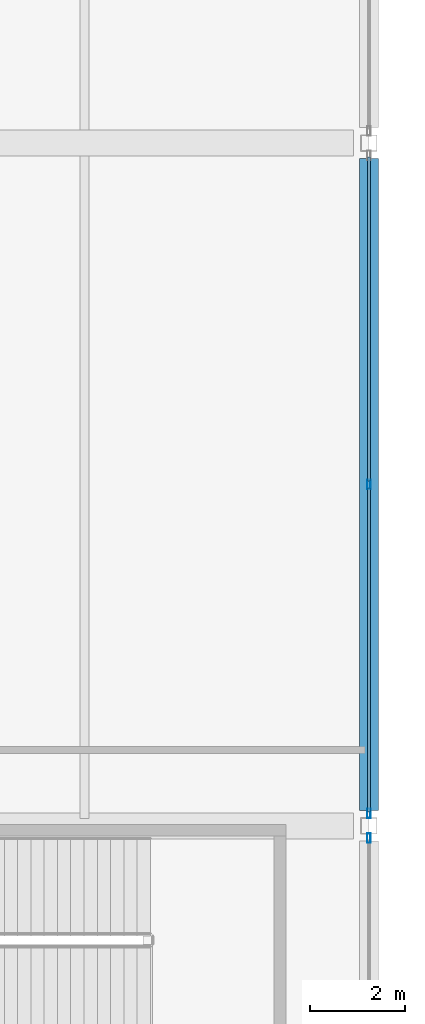
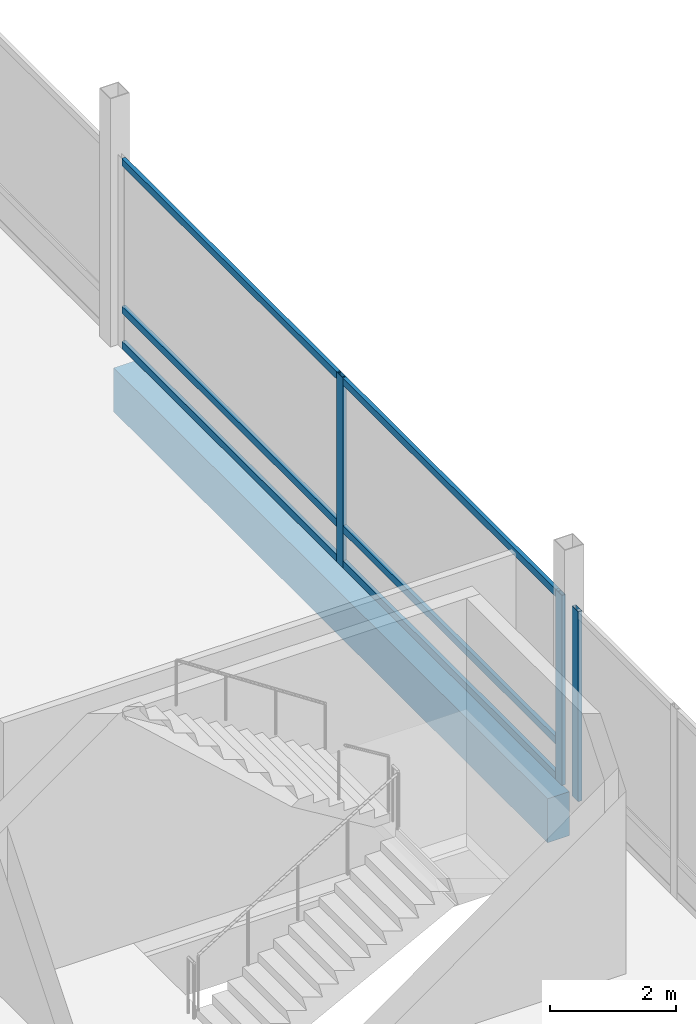
# One storey, part 81 of 193: 9 members, 1 beam, 2 elements without a shape of their own.
"""IFC4 building model written with IfcOpenShell, lengths in metres."""

from ifc_helpers import new_model, si_unit, direction, frame, origin, origin_2d, place, context, subcontext, project, spatial, rectangle, hollow_rectangle, extrude, material, material_profile, profile_set, type_object, element, aggregate, save


model = new_model("IFC4")

# Units and contexts
model_context = context("Model", 3, precision=1e-05, world=origin(), true_north=direction((0.0, 1.0)))
body_context = subcontext(model_context, "Body", "Model", "MODEL_VIEW")
ifc_project = project(units=[si_unit("LENGTHUNIT", "METRE"), si_unit("AREAUNIT", "SQUARE_METRE"), si_unit("VOLUMEUNIT", "CUBIC_METRE"), si_unit("PLANEANGLEUNIT", "RADIAN"), si_unit("MASSUNIT", "GRAM", prefix="KILO")], contexts=[model_context])

# Site, building, storey
site_placement = place(None, origin())
site = spatial("IfcSite", under=ifc_project, at=site_placement, CompositionType="ELEMENT")
building_placement = place(site_placement, origin())
building = spatial("IfcBuilding", under=site, at=building_placement, Name="Cendralis Lancet Convention Centre", CompositionType="ELEMENT")
storey_placement = place(building_placement, frame((0.0, 0.0, 10.199951171875)))
storey = spatial("IfcBuildingStorey", under=building, at=storey_placement, Name="L02", CompositionType="ELEMENT", Elevation=10.199951171875)

# Curtain wall, member
ifc_material_1 = material(Name="Anodised bronze architectural aluminium", Category="aluminium")
curtain_wall_type = type_object("IfcCurtainWallType", Name="ARC-CW-PL02", PredefinedType="USERDEFINED", material=ifc_material_1)
curtain_wall_1_placement = place(storey_placement, origin())
curtain_wall_1 = element("IfcCurtainWall", 1, at=curtain_wall_1_placement, inside=storey, type_object=curtain_wall_type, Name="L02 Curtain Wall CW-PL2 #131", ObjectType="CURTAIN WALL", PredefinedType="USERDEFINED")
ifc_material_profile_1 = material_profile(ifc_material_1, hollow_rectangle(XDim=0.070068359375, YDim=0.199951171875, WallThickness=0.0048828125, at=origin_2d()), Name="AL-MULL 70x200x5.0")
ifc_profile_set_1 = profile_set([ifc_material_profile_1], Name="Anodised bronze architectural aluminium")
member_type_1 = type_object("IfcMemberType", Name="ARC-CW-ML02", PredefinedType="MULLION", material=ifc_profile_set_1)
member_1_placement = place(storey_placement, frame((208.800048828125, 50.139892578125, 0.0), z_axis=(0.0, 0.0, 1.0), x_axis=(1.0, 0.0, 0.0)))
member_1 = element("IfcMember", 2, at=member_1_placement, type_object=member_type_1, Name="Mullion CW2-CW-PL2-L02-131-M0", PredefinedType="MULLION", context=body_context, shape_type="SweptSolid", body=[
    extrude(hollow_rectangle(XDim=0.070068359375, YDim=0.199951171875, WallThickness=0.0048828125, at=origin_2d()), origin(), (0.0, 0.0, 1.0), 3.675048828125),
])
aggregate(curtain_wall_1, [member_1])

# Curtain wall, members
curtain_wall_2_placement = place(storey_placement, origin())
curtain_wall_2 = element("IfcCurtainWall", 3, at=curtain_wall_2_placement, inside=storey, type_object=curtain_wall_type, Name="L02 Curtain Wall CW-PL2 #132", ObjectType="CURTAIN WALL", PredefinedType="USERDEFINED")
member_2_placement = place(storey_placement, frame((208.800048828125, 57.60009765625, 0.0), z_axis=(0.0, 0.0, 1.0), x_axis=(1.0, 0.0, 0.0)))
member_2 = element("IfcMember", 4, at=member_2_placement, type_object=member_type_1, Name="Mullion CW2-CW-PL2-L02-132-M1", PredefinedType="MULLION", context=body_context, shape_type="SweptSolid", body=[
    extrude(hollow_rectangle(XDim=0.070068359375, YDim=0.199951171875, WallThickness=0.0048828125, at=origin_2d()), origin(), (0.0, 0.0, 1.0), 3.675048828125),
])
member_3_placement = place(storey_placement, frame((208.800048828125, 50.659912109375, 0.0), z_axis=(0.0, 0.0, 1.0), x_axis=(1.0, 0.0, 0.0)))
member_3 = element("IfcMember", 5, at=member_3_placement, type_object=member_type_1, Name="Mullion CW2-CW-PL2-L02-132-M2", PredefinedType="MULLION", context=body_context, shape_type="SweptSolid", body=[
    extrude(hollow_rectangle(XDim=0.070068359375, YDim=0.199951171875, WallThickness=0.0048828125, at=origin_2d()), origin(), (0.0, 0.0, 1.0), 3.675048828125),
])
ifc_material_profile_2 = material_profile(ifc_material_1, hollow_rectangle(XDim=0.070068359375, YDim=0.139892578125, WallThickness=0.00390625, at=origin_2d()), Name="AL-TRAN 70x140x4.0")
ifc_profile_set_2 = profile_set([ifc_material_profile_2], Name="Anodised bronze architectural aluminium")
member_type_2 = type_object("IfcMemberType", Name="ARC-CW-TR02", PredefinedType="USERDEFINED", material=ifc_profile_set_2)
member_4_placement = place(storey_placement, frame((208.800048828125, 64.5048828125, 0.070068359375), z_axis=(0.0, -1.0, 0.0), x_axis=(1.0, 0.0, 0.0)))
member_4 = element("IfcMember", 6, at=member_4_placement, type_object=member_type_2, Name="Transom CW2-CW-PL2-L02-132-T0BOT", ObjectType="TRANSOM", PredefinedType="USERDEFINED", context=body_context, shape_type="SweptSolid", body=[
    extrude(hollow_rectangle(XDim=0.070068359375, YDim=0.139892578125, WallThickness=0.00390625, at=origin_2d()), origin(), (0.0, 0.0, 1.0), 6.8349609375),
])
member_5_placement = place(storey_placement, frame((208.800048828125, 64.5048828125, 0.75), z_axis=(0.0, -1.0, 0.0), x_axis=(1.0, 0.0, 0.0)))
member_5 = element("IfcMember", 7, at=member_5_placement, type_object=member_type_2, Name="Transom CW2-CW-PL2-L02-132-T0MID", ObjectType="TRANSOM", PredefinedType="USERDEFINED", context=body_context, shape_type="SweptSolid", body=[
    extrude(hollow_rectangle(XDim=0.070068359375, YDim=0.139892578125, WallThickness=0.00390625, at=origin_2d()), origin(), (0.0, 0.0, 1.0), 6.8349609375),
])
member_6_placement = place(storey_placement, frame((208.800048828125, 64.5048828125, 3.60498046875), z_axis=(0.0, -1.0, 0.0), x_axis=(1.0, 0.0, 0.0)))
member_6 = element("IfcMember", 8, at=member_6_placement, type_object=member_type_2, Name="Transom CW2-CW-PL2-L02-132-T0TOP", ObjectType="TRANSOM", PredefinedType="USERDEFINED", context=body_context, shape_type="SweptSolid", body=[
    extrude(hollow_rectangle(XDim=0.070068359375, YDim=0.139892578125, WallThickness=0.00390625, at=origin_2d()), origin(), (0.0, 0.0, 1.0), 6.8349609375),
])
member_7_placement = place(storey_placement, frame((208.800048828125, 57.530029296875, 0.070068359375), z_axis=(0.0, -1.0, 0.0), x_axis=(1.0, 0.0, 0.0)))
member_7 = element("IfcMember", 9, at=member_7_placement, type_object=member_type_2, Name="Transom CW2-CW-PL2-L02-132-T1BOT", ObjectType="TRANSOM", PredefinedType="USERDEFINED", context=body_context, shape_type="SweptSolid", body=[
    extrude(hollow_rectangle(XDim=0.070068359375, YDim=0.139892578125, WallThickness=0.00390625, at=origin_2d()), origin(), (0.0, 0.0, 1.0), 6.8349609375),
])
member_8_placement = place(storey_placement, frame((208.800048828125, 57.530029296875, 0.75), z_axis=(0.0, -1.0, 0.0), x_axis=(1.0, 0.0, 0.0)))
member_8 = element("IfcMember", 10, at=member_8_placement, type_object=member_type_2, Name="Transom CW2-CW-PL2-L02-132-T1MID", ObjectType="TRANSOM", PredefinedType="USERDEFINED", context=body_context, shape_type="SweptSolid", body=[
    extrude(hollow_rectangle(XDim=0.070068359375, YDim=0.139892578125, WallThickness=0.00390625, at=origin_2d()), origin(), (0.0, 0.0, 1.0), 6.8349609375),
])
member_9_placement = place(storey_placement, frame((208.800048828125, 57.530029296875, 3.60498046875), z_axis=(0.0, -1.0, 0.0), x_axis=(1.0, 0.0, 0.0)))
member_9 = element("IfcMember", 11, at=member_9_placement, type_object=member_type_2, Name="Transom CW2-CW-PL2-L02-132-T1TOP", ObjectType="TRANSOM", PredefinedType="USERDEFINED", context=body_context, shape_type="SweptSolid", body=[
    extrude(hollow_rectangle(XDim=0.070068359375, YDim=0.139892578125, WallThickness=0.00390625, at=origin_2d()), origin(), (0.0, 0.0, 1.0), 6.8349609375),
])
aggregate(curtain_wall_2, [member_2, member_3, member_4, member_5, member_6, member_7, member_8, member_9])

# Beam
ifc_material_2 = material(Name="Concrete G40 (C40/50)", Category="concrete")
ifc_material_profile_3 = material_profile(ifc_material_2, rectangle(XDim=0.39990234375, YDim=0.85009765625, at=origin_2d()), Name="RCB 400x850")
ifc_profile_set_3 = profile_set([ifc_material_profile_3], Name="Concrete G40 (C40/50)")
beam_type = type_object("IfcBeamType", Name="STR-SP-SP02", PredefinedType="SPANDREL", material=ifc_profile_set_3)
beam_placement = place(storey_placement, frame((208.800048828125, 50.72509765625, -0.724853515625), z_axis=(0.0, 1.0, 0.0), x_axis=(-1.0, 0.0, 0.0)))
element("IfcBeam", 12, at=beam_placement, inside=storey, type_object=beam_type, Name="L02 Beam SP02 #1493", PredefinedType="SPANDREL", context=body_context, shape_type="SweptSolid", body=[
    extrude(rectangle(XDim=0.39990234375, YDim=0.85009765625, at=origin_2d()), origin(), (0.0, 0.0, 1.0), 13.75),
])

save(model, "model.ifc")
